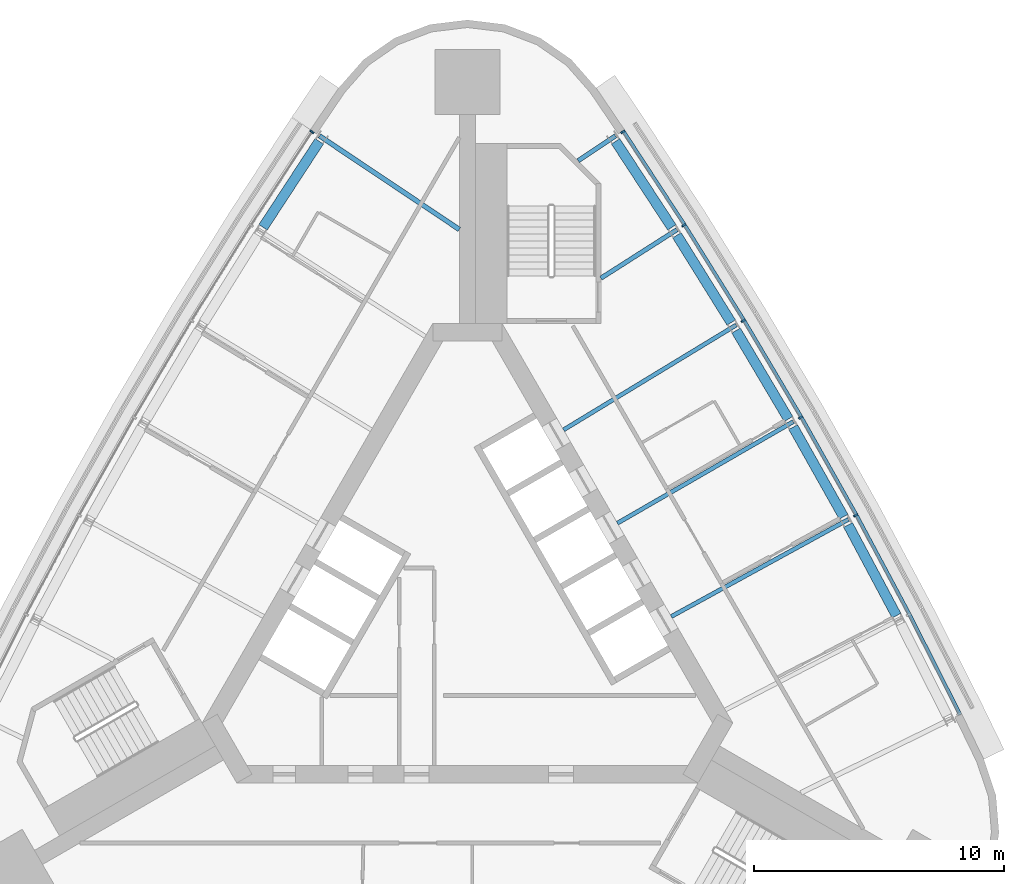
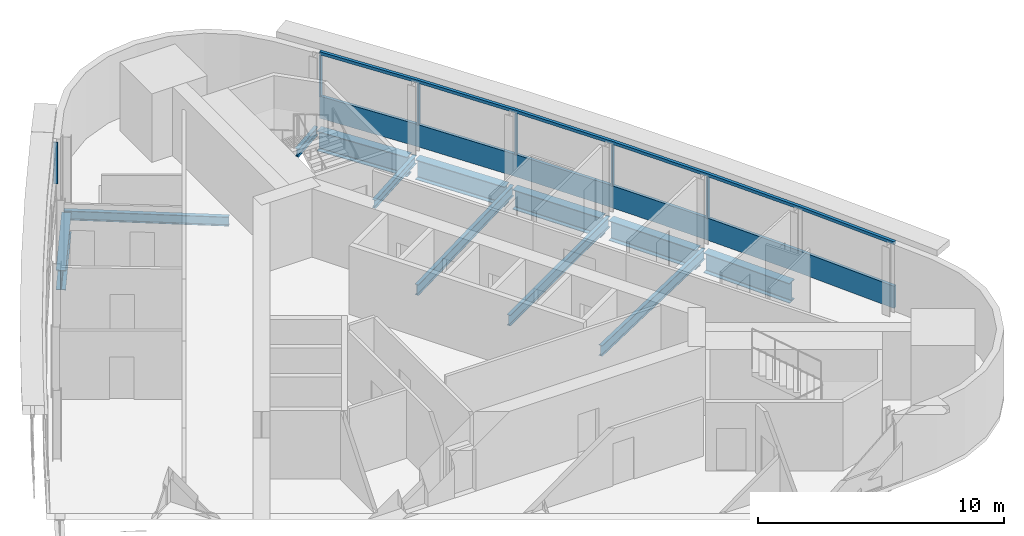
# One storey, part 7 of 14: 12 beams, 8 members, 2 elements without a shape of their own.
"""IFC4 building model written with IfcOpenShell, lengths in metres."""

from ifc_helpers import new_model, si_unit, direction, frame, origin, origin_2d, place, context, subcontext, project, spatial, polyline, rectangle, i_section, outline, extrude, material, material_profile, profile_set, type_object, element, aggregate, save


model = new_model("IFC4")

# Units and contexts
model_context = context("Model", 3, precision=1e-05, world=origin(), true_north=direction((0.0, 1.0)))
body_context = subcontext(model_context, "Body", "Model", "MODEL_VIEW")
ifc_project = project(units=[si_unit("LENGTHUNIT", "METRE"), si_unit("AREAUNIT", "SQUARE_METRE"), si_unit("VOLUMEUNIT", "CUBIC_METRE"), si_unit("PLANEANGLEUNIT", "RADIAN"), si_unit("MASSUNIT", "GRAM", prefix="KILO")], contexts=[model_context])

# Site, building, storey
site_placement = place(None, origin())
site = spatial("IfcSite", under=ifc_project, at=site_placement, CompositionType="ELEMENT")
building_placement = place(site_placement, origin())
building = spatial("IfcBuilding", under=site, at=building_placement, Name="Noor Cloister Tower", CompositionType="ELEMENT")
storey_placement = place(building_placement, frame((0.0, 0.0, 214.800048828125)))
storey = spatial("IfcBuildingStorey", under=building, at=storey_placement, Name="L55", CompositionType="ELEMENT", Elevation=214.800048828125)

# Beams
ifc_material_1 = material(Name="Steel ASTM A992 Gr 50", Category="steel")
ifc_material_profile_1 = material_profile(ifc_material_1, i_section(OverallWidth=0.40087890625, OverallDepth=0.98291015625, WebThickness=0.0166015625, FlangeThickness=0.027099609375, FilletRadius=0.030029296875, at=origin_2d()), Name="W1000x296")
ifc_profile_set_1 = profile_set([ifc_material_profile_1], Name="Steel ASTM A992 Gr 50")
beam_type_1 = type_object("IfcBeamType", Name="Belt chord girder W1000x296", PredefinedType="BEAM", material=ifc_profile_set_1)
beam_1_placement = place(storey_placement, frame((-5.92724609375, 18.741943359375, -0.691650390625), z_axis=(-0.547105481139, -0.837063672911, 0.0), x_axis=(0.837063672911, -0.547105481139, 0.0)))
element("IfcBeam", 1, at=beam_1_placement, inside=storey, type_object=beam_type_1, Name="Spandrel beam NW 01 L55", PredefinedType="BEAM", context=body_context, shape_type="SweptSolid", body=[
    extrude(i_section(OverallWidth=0.40087890625, OverallDepth=0.98291015625, WebThickness=0.0166015625, FlangeThickness=0.027099609375, FilletRadius=0.030029296875, at=origin_2d()), origin(), (0.0, 0.0, 1.0), 4.11474609375),
])
beam_2_placement = place(storey_placement, frame((17.165283203125, -0.235107421875, -0.691650390625), z_axis=(-0.471000859452, 0.882132751005, 0.0), x_axis=(-0.882132751005, -0.471000859452, 0.0)))
element("IfcBeam", 2, at=beam_2_placement, inside=storey, type_object=beam_type_1, Name="Spandrel beam NE 02 L55", PredefinedType="BEAM", context=body_context, shape_type="SweptSolid", body=[
    extrude(i_section(OverallWidth=0.40087890625, OverallDepth=0.98291015625, WebThickness=0.0166015625, FlangeThickness=0.027099609375, FilletRadius=0.030029296875, at=origin_2d()), origin(), (0.0, 0.0, 1.0), 4.114501953125),
])
for number, where, z_axis, x_axis, name in (
    (3, (15.048095703125, 3.7216796875, -0.691650390625), (-0.490396452129, 0.871499466288, 0.0), (-0.871499466288, -0.490396452129, 0.0), "Spandrel beam NE 03 L55"),
    (4, (12.84375, 7.630615234375, -0.691650390625), (-0.509548653359, 0.860441845716, 0.0), (-0.860441845716, -0.509548653359, 0.0), "Spandrel beam NE 04 L55"),
):
    element("IfcBeam", number, at=place(storey_placement, frame(where, z_axis=z_axis, x_axis=x_axis)), inside=storey, type_object=beam_type_1, Name=name, PredefinedType="BEAM", context=body_context, shape_type="SweptSolid", body=[
        extrude(i_section(OverallWidth=0.40087890625, OverallDepth=0.98291015625, WebThickness=0.0166015625, FlangeThickness=0.027099609375, FilletRadius=0.030029296875, at=origin_2d()), origin(), (0.0, 0.0, 1.0), 4.11474609375),
    ])
beam_3_placement = place(storey_placement, frame((10.553466796875, 11.489990234375, -0.691650390625), z_axis=(-0.528440659826, 0.848970240375, 0.0), x_axis=(-0.848970240375, -0.528440659826, 0.0)))
element("IfcBeam", 5, at=beam_3_placement, inside=storey, type_object=beam_type_1, Name="Spandrel beam NE 05 L55", PredefinedType="BEAM", context=body_context, shape_type="SweptSolid", body=[
    extrude(i_section(OverallWidth=0.40087890625, OverallDepth=0.98291015625, WebThickness=0.0166015625, FlangeThickness=0.027099609375, FilletRadius=0.030029296875, at=origin_2d()), origin(), (0.0, 0.0, 1.0), 4.114501953125),
])
beam_4_placement = place(storey_placement, frame((8.178466796875, 15.297607421875, -0.691650390625), z_axis=(-0.547105481139, 0.837063672911, 0.0), x_axis=(-0.837063672911, -0.547105481139, 0.0)))
element("IfcBeam", 6, at=beam_4_placement, inside=storey, type_object=beam_type_1, Name="Spandrel beam NE 06 L55", PredefinedType="BEAM", context=body_context, shape_type="SweptSolid", body=[
    extrude(i_section(OverallWidth=0.40087890625, OverallDepth=0.98291015625, WebThickness=0.0166015625, FlangeThickness=0.027099609375, FilletRadius=0.030029296875, at=origin_2d()), origin(), (0.0, 0.0, 1.0), 4.11474609375),
])

# Curtain wall, member
ifc_material_2 = material(Name="Aluminium 6063-T6 anodised", Category="aluminium")
curtain_wall_type = type_object("IfcCurtainWallType", Name="Ribbon curtain wall, upper tower CW5", PredefinedType="NOTDEFINED", material=ifc_material_2)
curtain_wall_1_placement = place(storey_placement, origin())
curtain_wall_1 = element("IfcCurtainWall", 7, at=curtain_wall_1_placement, inside=storey, type_object=curtain_wall_type, Name="CW5 L55 NE run 4", PredefinedType="NOTDEFINED")
ifc_material_3 = material(Name="Aluminium 6063-T6 anodised", Category="aluminium")
member_type_1 = type_object("IfcMemberType", Name="Head transom CW5 150", PredefinedType="USERDEFINED", material=ifc_material_3)
member_1_placement = place(storey_placement, frame((0.0, 0.0, 3.14990234375)))
member_1 = element("IfcMember", 8, at=member_1_placement, type_object=member_type_1, Name="CW5 head transom", ObjectType="TRANSOM", PredefinedType="USERDEFINED", context=body_context, shape_type="SweptSolid", body=[
    extrude(outline(polyline([(19.772216796875, -4.16162109375), (17.7412109375, -0.14599609375), (15.621826171875, 3.823486328125), (13.415283203125, 7.745361328125), (11.122314453125, 11.6171875), (8.744140625, 15.437255859375), (6.2822265625, 19.2041015625), (6.1650390625, 19.12744140625), (8.626220703125, 15.362060546875), (11.00244140625, 11.54443359375), (13.2939453125, 7.67529296875), (15.4990234375, 3.75634765625), (17.616943359375, -0.210693359375), (19.647216796875, -4.224609375), (19.772216796875, -4.16162109375)])), origin(), (0.0, 0.0, 1.0), 0.150146484375),
])

curtain_wall_2_placement = place(storey_placement, origin())
curtain_wall_2 = element("IfcCurtainWall", 9, at=curtain_wall_2_placement, inside=storey, type_object=curtain_wall_type, Name="CW5 L55 NW run 1", PredefinedType="NOTDEFINED")
ifc_material_4 = material(Name="Aluminium 6063-T6 anodised", Category="aluminium")
ifc_material_profile_2 = material_profile(ifc_material_4, rectangle(XDim=0.179931640625, YDim=0.070068359375, at=origin_2d()), Name="180 x 70 mullion")
ifc_profile_set_2 = profile_set([ifc_material_profile_2], Name="Aluminium 6063-T6 anodised")
member_type_2 = type_object("IfcMemberType", Name="Mullion CW5 70 x 180", PredefinedType="MULLION", material=ifc_profile_set_2)
member_2_placement = place(storey_placement, frame((-6.217529296875, 19.119873046875, 1.099853515625), z_axis=(0.0, 0.0, 1.0), x_axis=(0.837047263939, -0.547130585813, 0.0)))
member_2 = element("IfcMember", 10, at=member_2_placement, type_object=member_type_2, Name="CW5 mullion 1", PredefinedType="MULLION", context=body_context, shape_type="SweptSolid", body=[
    extrude(rectangle(XDim=0.179931640625, YDim=0.070068359375, at=origin_2d()), origin(), (0.0, 0.0, 1.0), 2.050048828125),
])
aggregate(curtain_wall_2, [member_2])

# Member
member_3_placement = place(storey_placement, frame((15.5341796875, 3.775390625, 1.099853515625), z_axis=(0.0, 0.0, 1.0), x_axis=(-0.8768790948, -0.480710987083, 0.0)))
member_3 = element("IfcMember", 11, at=member_3_placement, type_object=member_type_2, Name="CW5 mullion 3", PredefinedType="MULLION", context=body_context, shape_type="SweptSolid", body=[
    extrude(rectangle(XDim=0.179931640625, YDim=0.070068359375, at=origin_2d()), origin(), (0.0, 0.0, 1.0), 2.050048828125),
])

member_4_placement = place(storey_placement, frame((13.32861328125, 7.6953125, 1.099853515625), z_axis=(0.0, 0.0, 1.0), x_axis=(-0.866025403784, -0.5, 0.0)))
member_4 = element("IfcMember", 12, at=member_4_placement, type_object=member_type_2, Name="CW5 mullion 4", PredefinedType="MULLION", context=body_context, shape_type="SweptSolid", body=[
    extrude(rectangle(XDim=0.179931640625, YDim=0.070068359375, at=origin_2d()), origin(), (0.0, 0.0, 1.0), 2.050048828125),
])

member_5_placement = place(storey_placement, frame((11.03662109375, 11.565185546875, 1.099853515625), z_axis=(0.0, 0.0, 1.0), x_axis=(-0.854747474092, -0.519044078603, 0.0)))
member_5 = element("IfcMember", 13, at=member_5_placement, type_object=member_type_2, Name="CW5 mullion 5", PredefinedType="MULLION", context=body_context, shape_type="SweptSolid", body=[
    extrude(rectangle(XDim=0.179931640625, YDim=0.070068359375, at=origin_2d()), origin(), (0.0, 0.0, 1.0), 2.050048828125),
])

member_6_placement = place(storey_placement, frame((8.659912109375, 15.383544921875, 1.099853515625), z_axis=(0.0, 0.0, 1.0), x_axis=(-0.843050821041, -0.537833908509, 0.0)))
member_6 = element("IfcMember", 14, at=member_6_placement, type_object=member_type_2, Name="CW5 mullion 6", PredefinedType="MULLION", context=body_context, shape_type="SweptSolid", body=[
    extrude(rectangle(XDim=0.179931640625, YDim=0.070068359375, at=origin_2d()), origin(), (0.0, 0.0, 1.0), 2.050048828125),
])

member_7_placement = place(storey_placement, frame((6.217529296875, 19.119873046875, 1.099853515625), z_axis=(0.0, 0.0, 1.0), x_axis=(-0.837047263939, -0.547130585813, 0.0)))
member_7 = element("IfcMember", 15, at=member_7_placement, type_object=member_type_2, Name="CW5 mullion 7", PredefinedType="MULLION", context=body_context, shape_type="SweptSolid", body=[
    extrude(rectangle(XDim=0.179931640625, YDim=0.070068359375, at=origin_2d()), origin(), (0.0, 0.0, 1.0), 2.050048828125),
])

# Beams
ifc_material_5 = material(Name="Steel ASTM A992 Gr 50", Category="steel")
ifc_material_profile_3 = material_profile(ifc_material_5, i_section(OverallWidth=0.177978515625, OverallDepth=0.406005859375, WebThickness=0.0078125, FlangeThickness=0.0126953125, FilletRadius=0.01025390625, at=origin_2d()), Name="W410x60")
ifc_profile_set_3 = profile_set([ifc_material_profile_3], Name="Steel ASTM A992 Gr 50")
beam_type_2 = type_object("IfcBeamType", Name="Radial beam W410x60", PredefinedType="BEAM", material=ifc_profile_set_3)
beam_5_placement = place(storey_placement, frame((8.378173828125, 15.203857421875, -0.403076171875), z_axis=(-0.843059267297, -0.537820668834, 0.0), x_axis=(0.537820668834, -0.843059267297, 0.0)))
element("IfcBeam", 16, at=beam_5_placement, inside=storey, type_object=beam_type_2, Name="Radial beam NE 06 L55", PredefinedType="BEAM", context=body_context, shape_type="SweptSolid", body=[
    extrude(i_section(OverallWidth=0.177978515625, OverallDepth=0.406005859375, WebThickness=0.0078125, FlangeThickness=0.0126953125, FilletRadius=0.01025390625, at=origin_2d()), origin(), (0.0, 0.0, 1.0), 3.60888671875),
])
beam_6_placement = place(storey_placement, frame((5.92138671875, 18.96240234375, -0.403076171875), z_axis=(-0.830940280815, -0.556361617762, 0.0), x_axis=(0.556361617762, -0.830940280815, 0.0)))
element("IfcBeam", 17, at=beam_6_placement, inside=storey, type_object=beam_type_2, Name="Radial beam NE 07 L55", PredefinedType="BEAM", context=body_context, shape_type="SweptSolid", body=[
    extrude(i_section(OverallWidth=0.177978515625, OverallDepth=0.406005859375, WebThickness=0.0078125, FlangeThickness=0.0126953125, FilletRadius=0.01025390625, at=origin_2d()), origin(), (0.0, 0.0, 1.0), 1.796142578125),
])
ifc_material_6 = material(Name="Steel ASTM A992 Gr 50", Category="steel")
ifc_material_profile_4 = material_profile(ifc_material_6, i_section(OverallWidth=0.19091796875, OverallDepth=0.45703125, WebThickness=0.009033203125, FlangeThickness=0.014404296875, FilletRadius=0.01025390625, at=origin_2d()), Name="W460x74")
ifc_profile_set_4 = profile_set([ifc_material_profile_4], Name="Steel ASTM A992 Gr 50")
beam_type_3 = type_object("IfcBeamType", Name="Radial beam W460x74", PredefinedType="BEAM", material=ifc_profile_set_4)
beam_7_placement = place(storey_placement, frame((-5.92138671875, 18.96240234375, -0.428466796875), z_axis=(0.83094443402, -0.556355414795, 0.0), x_axis=(0.556355414795, 0.83094443402, 0.0)))
element("IfcBeam", 18, at=beam_7_placement, inside=storey, type_object=beam_type_3, Name="Radial beam NW 01 L55", PredefinedType="BEAM", context=body_context, shape_type="SweptSolid", body=[
    extrude(i_section(OverallWidth=0.19091796875, OverallDepth=0.45703125, WebThickness=0.009033203125, FlangeThickness=0.014404296875, FilletRadius=0.01025390625, at=origin_2d()), origin(), (0.0, 0.0, 1.0), 6.735107421875),
])
ifc_material_7 = material(Name="Steel ASTM A992 Gr 50", Category="steel")
ifc_material_profile_5 = material_profile(ifc_material_7, i_section(OverallWidth=0.166015625, OverallDepth=0.528076171875, WebThickness=0.009765625, FlangeThickness=0.013671875, FilletRadius=0.0126953125, at=origin_2d()), Name="W530x74")
ifc_profile_set_5 = profile_set([ifc_material_profile_5], Name="Steel ASTM A992 Gr 50")
beam_type_4 = type_object("IfcBeamType", Name="Radial beam W530x74", PredefinedType="BEAM", material=ifc_profile_set_5)
beam_8_placement = place(storey_placement, frame((15.2412109375, 3.614990234375, -0.464111328125), z_axis=(-0.876874036138, -0.480720214623, 0.0), x_axis=(0.480720214623, -0.876874036138, 0.0)))
element("IfcBeam", 19, at=beam_8_placement, inside=storey, type_object=beam_type_4, Name="Radial beam NE 03 L55", PredefinedType="BEAM", context=body_context, shape_type="SweptSolid", body=[
    extrude(i_section(OverallWidth=0.166015625, OverallDepth=0.528076171875, WebThickness=0.009765625, FlangeThickness=0.013671875, FilletRadius=0.0126953125, at=origin_2d()), origin(), (0.0, 0.0, 1.0), 8.08056640625),
])
beam_9_placement = place(storey_placement, frame((13.039306640625, 7.5283203125, -0.464111328125), z_axis=(-0.866022026288, -0.50000584995, 0.0), x_axis=(0.50000584995, -0.866022026288, 0.0)))
element("IfcBeam", 20, at=beam_9_placement, inside=storey, type_object=beam_type_4, Name="Radial beam NE 04 L55", PredefinedType="BEAM", context=body_context, shape_type="SweptSolid", body=[
    extrude(i_section(OverallWidth=0.166015625, OverallDepth=0.528076171875, WebThickness=0.009765625, FlangeThickness=0.013671875, FilletRadius=0.0126953125, at=origin_2d()), origin(), (0.0, 0.0, 1.0), 8.12841796875),
])
beam_10_placement = place(storey_placement, frame((10.751220703125, 11.391845703125, -0.464111328125), z_axis=(-0.854748260186, -0.519042784084, 0.0), x_axis=(0.519042784084, -0.854748260186, 0.0)))
element("IfcBeam", 21, at=beam_10_placement, inside=storey, type_object=beam_type_4, Name="Radial beam NE 05 L55", PredefinedType="BEAM", context=body_context, shape_type="SweptSolid", body=[
    extrude(i_section(OverallWidth=0.166015625, OverallDepth=0.528076171875, WebThickness=0.009765625, FlangeThickness=0.013671875, FilletRadius=0.0126953125, at=origin_2d()), origin(), (0.0, 0.0, 1.0), 8.080322265625),
])

# Member
ifc_material_8 = material(Name="Aluminium 6063-T6 anodised", Category="aluminium")
member_type_3 = type_object("IfcMemberType", Name="Sill transom CW5 1100", PredefinedType="USERDEFINED", material=ifc_material_8)
member_8_placement = place(storey_placement, origin())
member_8 = element("IfcMember", 22, at=member_8_placement, type_object=member_type_3, Name="CW5 sill transom", ObjectType="TRANSOM", PredefinedType="USERDEFINED", context=body_context, shape_type="SweptSolid", body=[
    extrude(outline(polyline([(19.772216796875, -4.16162109375), (17.7412109375, -0.14599609375), (15.621826171875, 3.823486328125), (13.415283203125, 7.745361328125), (11.122314453125, 11.6171875), (8.744140625, 15.437255859375), (6.2822265625, 19.2041015625), (6.1650390625, 19.12744140625), (8.626220703125, 15.362060546875), (11.00244140625, 11.54443359375), (13.2939453125, 7.67529296875), (15.4990234375, 3.75634765625), (17.616943359375, -0.210693359375), (19.647216796875, -4.224609375), (19.772216796875, -4.16162109375)])), origin(), (0.0, 0.0, 1.0), 1.099853515625),
])

aggregate(curtain_wall_1, [member_3, member_4, member_5, member_6, member_7, member_8, member_1])

save(model, "model.ifc")
